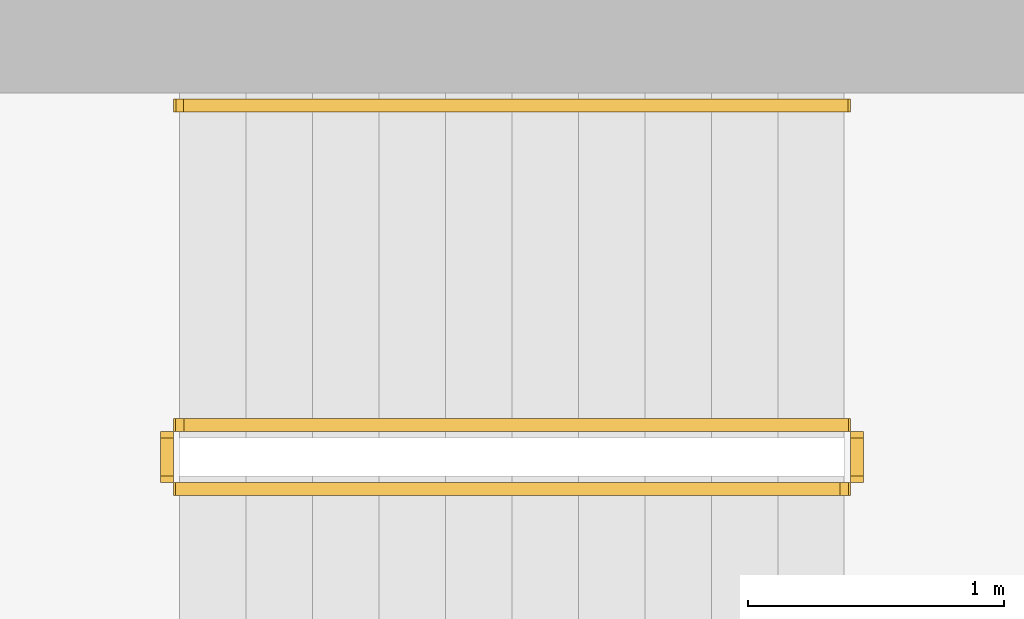
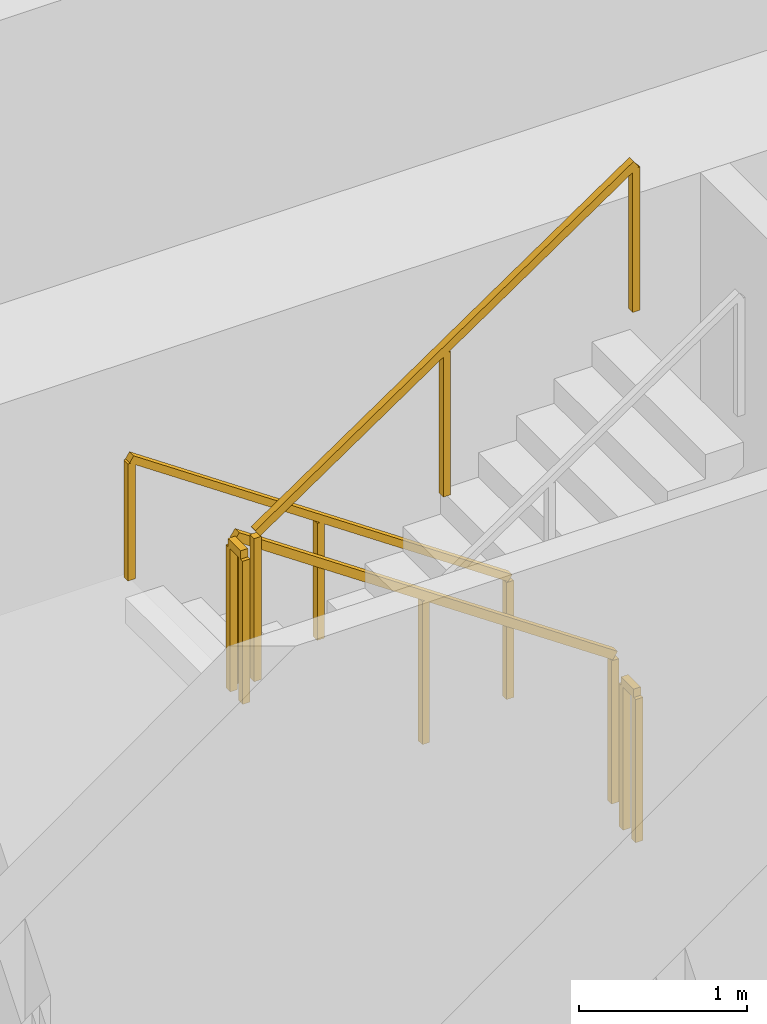
# One storey, part 13 of 14: 5 railings.
"""IFC4 building model written with IfcOpenShell, lengths in metres."""

from ifc_helpers import new_model, si_unit, direction, frame, origin, origin_2d, place, context, subcontext, project, spatial, rectangle, extrude, material, type_object, element, save


model = new_model("IFC4")

# Units and contexts
model_context = context("Model", 3, precision=1e-05, world=origin(), true_north=direction((0.0, 1.0)))
body_context = subcontext(model_context, "Body", "Model", "MODEL_VIEW")
ifc_project = project(units=[si_unit("LENGTHUNIT", "METRE"), si_unit("AREAUNIT", "SQUARE_METRE"), si_unit("VOLUMEUNIT", "CUBIC_METRE"), si_unit("PLANEANGLEUNIT", "RADIAN"), si_unit("MASSUNIT", "GRAM", prefix="KILO")], contexts=[model_context])

# Site, building, storey
site_placement = place(None, origin())
site = spatial("IfcSite", under=ifc_project, at=site_placement, CompositionType="ELEMENT")
building_placement = place(site_placement, origin())
building = spatial("IfcBuilding", under=site, at=building_placement, Name="Khepri Terraces", CompositionType="ELEMENT")
storey_placement = place(building_placement, frame((0.0, 0.0, 66.0)))
storey = spatial("IfcBuildingStorey", under=building, at=storey_placement, Name="L15", CompositionType="ELEMENT", Elevation=66.0)

# Railings
ifc_material = material(Name="Stainless steel 316", Category="steel")
railing_type_1 = type_object("IfcRailingType", Name="RL-CORE-GUARD", PredefinedType="GUARDRAIL", material=ifc_material)
railing_1_placement = place(storey_placement, frame((-0.25, 8.800048828125, 0.17724609375)))
element("IfcRailing", 1, at=railing_1_placement, inside=storey, type_object=railing_type_1, Name="L15 ST-3 stair guard 1", PredefinedType="GUARDRAIL", context=body_context, shape_type="SweptSolid", body=[
    extrude(rectangle(XDim=0.050048828125, YDim=0.06005859375, at=origin_2d()), frame((0.0, 0.0, 1.070068359375), z_axis=(-0.826240473404, 0.0, 0.563317565952), x_axis=(0.0, -1.0, 0.0)), (0.0, 0.0, 1.0), 3.14697265625),
    extrude(rectangle(XDim=0.050048828125, YDim=0.050048828125, at=origin_2d()), origin(), (0.0, 0.0, 1.0), 1.0400390625),
    extrude(rectangle(XDim=0.050048828125, YDim=0.050048828125, at=origin_2d()), frame((-1.300048828125, 0.0, 0.88623046875)), (0.0, 0.0, 1.0), 1.0400390625),
    extrude(rectangle(XDim=0.050048828125, YDim=0.050048828125, at=origin_2d()), frame((-2.60009765625, 0.0, 1.772705078125)), (0.0, 0.0, 1.0), 1.0400390625),
])
railing_2_placement = place(storey_placement, frame((-2.89990234375, 8.75, 1.949951171875)))
element("IfcRailing", 2, at=railing_2_placement, inside=storey, type_object=railing_type_1, Name="L15 ST-3 stair guard 2", PredefinedType="GUARDRAIL", context=body_context, shape_type="SweptSolid", body=[
    extrude(rectangle(XDim=0.050048828125, YDim=0.06005859375, at=origin_2d()), frame((0.0, 0.0, 1.070068359375), z_axis=(0.0, -1.0, 0.0), x_axis=(1.0, 0.0, 0.0)), (0.0, 0.0, 1.0), 0.14990234375),
    extrude(rectangle(XDim=0.050048828125, YDim=0.050048828125, at=origin_2d()), origin(), (0.0, 0.0, 1.0), 1.0400390625),
    extrude(rectangle(XDim=0.050048828125, YDim=0.050048828125, at=origin_2d()), frame((0.0, -0.14990234375, 0.0)), (0.0, 0.0, 1.0), 1.0400390625),
])
railing_3_placement = place(storey_placement, frame((-2.85009765625, 8.550048828125, 2.127197265625)))
element("IfcRailing", 3, at=railing_3_placement, inside=storey, type_object=railing_type_1, Name="L15 ST-3 stair guard 3", PredefinedType="GUARDRAIL", context=body_context, shape_type="SweptSolid", body=[
    extrude(rectangle(XDim=0.050048828125, YDim=0.06005859375, at=origin_2d()), frame((0.0, 0.0, 1.070068359375), z_axis=(0.826240473404, 0.0, 0.563317565952), x_axis=(0.0, 1.0, 0.0)), (0.0, 0.0, 1.0), 3.14697265625),
    extrude(rectangle(XDim=0.050048828125, YDim=0.050048828125, at=origin_2d()), origin(), (0.0, 0.0, 1.0), 1.0400390625),
    extrude(rectangle(XDim=0.050048828125, YDim=0.050048828125, at=origin_2d()), frame((1.300048828125, 0.0, 0.88623046875)), (0.0, 0.0, 1.0), 1.0400390625),
    extrude(rectangle(XDim=0.050048828125, YDim=0.050048828125, at=origin_2d()), frame((2.60009765625, 0.0, 1.772705078125)), (0.0, 0.0, 1.0), 1.0400390625),
])
railing_4_placement = place(storey_placement, frame((-0.199951171875, 8.75, 0.0)))
element("IfcRailing", 4, at=railing_4_placement, inside=storey, type_object=railing_type_1, Name="L15 ST-3 stair guard 4", PredefinedType="GUARDRAIL", context=body_context, shape_type="SweptSolid", body=[
    extrude(rectangle(XDim=0.050048828125, YDim=0.06005859375, at=origin_2d()), frame((0.0, 0.0, 1.070068359375), z_axis=(0.0, -1.0, 0.0), x_axis=(1.0, 0.0, 0.0)), (0.0, 0.0, 1.0), 0.14990234375),
    extrude(rectangle(XDim=0.050048828125, YDim=0.050048828125, at=origin_2d()), origin(), (0.0, 0.0, 1.0), 1.0400390625),
    extrude(rectangle(XDim=0.050048828125, YDim=0.050048828125, at=origin_2d()), frame((0.0, -0.14990234375, 0.0)), (0.0, 0.0, 1.0), 1.0400390625),
])
railing_type_2 = type_object("IfcRailingType", Name="RL-CORE-HANDRAIL", PredefinedType="HANDRAIL", material=ifc_material)
railing_5_placement = place(storey_placement, frame((-0.25, 10.050048828125, 0.17724609375)))
element("IfcRailing", 5, at=railing_5_placement, inside=storey, type_object=railing_type_2, Name="L15 ST-3 stair handrail 1", PredefinedType="HANDRAIL", context=body_context, shape_type="SweptSolid", body=[
    extrude(rectangle(XDim=0.050048828125, YDim=0.050048828125, at=origin_2d()), frame((0.0, 0.0, 0.875), z_axis=(-0.826240473404, 0.0, 0.563317565952), x_axis=(0.0, -1.0, 0.0)), (0.0, 0.0, 1.0), 3.14697265625),
    extrude(rectangle(XDim=0.050048828125, YDim=0.050048828125, at=origin_2d()), origin(), (0.0, 0.0, 1.0), 0.849853515625),
    extrude(rectangle(XDim=0.050048828125, YDim=0.050048828125, at=origin_2d()), frame((-1.300048828125, 0.0, 0.88623046875)), (0.0, 0.0, 1.0), 0.849853515625),
    extrude(rectangle(XDim=0.050048828125, YDim=0.050048828125, at=origin_2d()), frame((-2.60009765625, 0.0, 1.772705078125)), (0.0, 0.0, 1.0), 0.849853515625),
])

save(model, "model.ifc")
